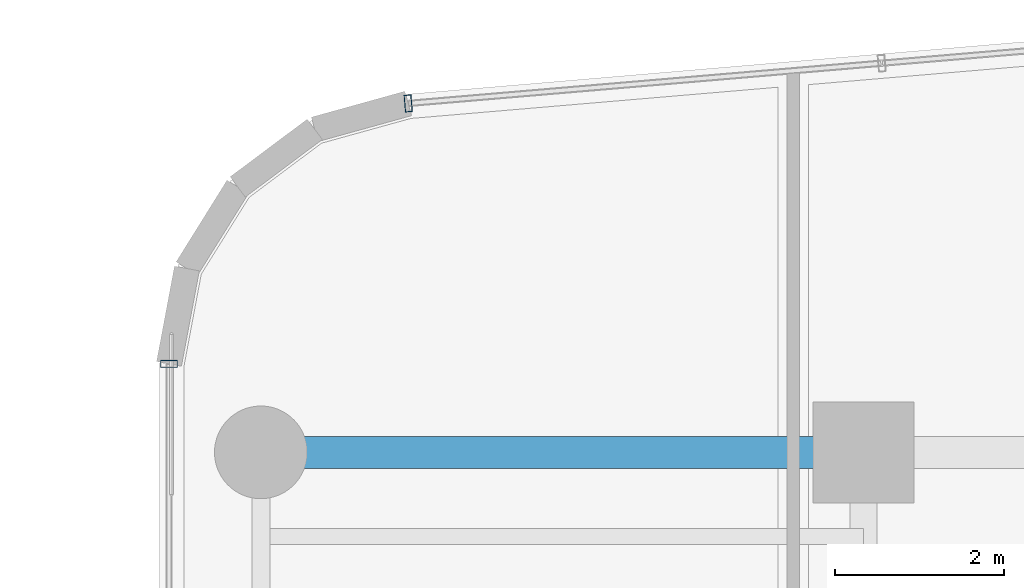
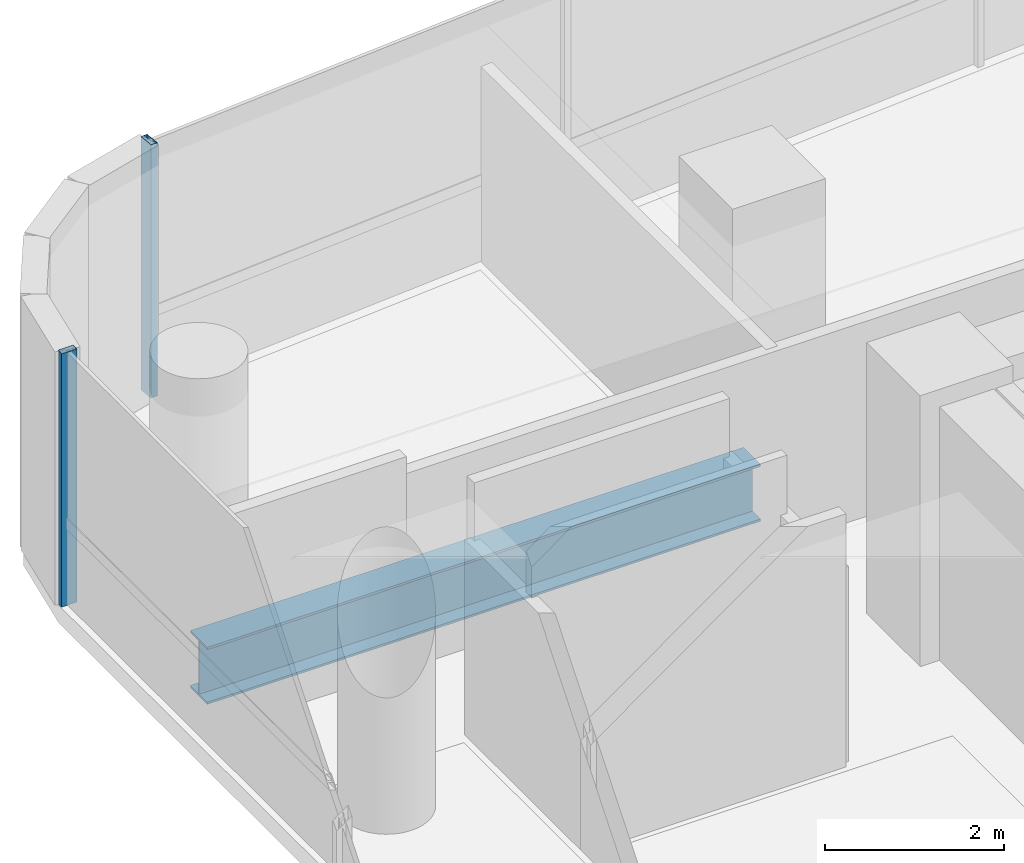
# One storey, part 20 of 37: 2 members, 1 beam, 2 elements without a shape of their own.
"""IFC4 building model written with IfcOpenShell, lengths in metres."""

from ifc_helpers import new_model, si_unit, direction, frame, origin, origin_2d, place, context, subcontext, project, spatial, hollow_rectangle, i_section, extrude, source, transform, mapped, material, material_profile, profile_set, type_object, element, aggregate, save


model = new_model("IFC4")

# Units and contexts
model_context = context("Model", 3, precision=1e-05, world=origin(), true_north=direction((0.0, 1.0)))
body_context = subcontext(model_context, "Body", "Model", "MODEL_VIEW")
ifc_project = project(units=[si_unit("LENGTHUNIT", "METRE"), si_unit("AREAUNIT", "SQUARE_METRE"), si_unit("VOLUMEUNIT", "CUBIC_METRE"), si_unit("PLANEANGLEUNIT", "RADIAN"), si_unit("MASSUNIT", "GRAM", prefix="KILO")], contexts=[model_context])

# Site, building, storey
site_placement = place(None, origin())
site = spatial("IfcSite", under=ifc_project, at=site_placement, CompositionType="ELEMENT")
building_placement = place(site_placement, origin())
building = spatial("IfcBuilding", under=site, at=building_placement, Name="Valdorenza Pilgrim Sanctuary Tower", CompositionType="ELEMENT")
storey_placement = place(building_placement, frame((0.0, 0.0, 135.300048828125)))
storey = spatial("IfcBuildingStorey", under=building, at=storey_placement, Name="L34", CompositionType="ELEMENT", Elevation=135.300048828125)

# Beam
ifc_material_1 = material(Name="Steel ASTM A992 Grade 50", Category="steel")
ifc_material_profile_1 = material_profile(ifc_material_1, i_section(OverallWidth=0.382080078125, OverallDepth=0.779052734375, WebThickness=0.01806640625, FlangeThickness=0.030029296875, at=origin_2d()), Name="W30X191")
ifc_profile_set_1 = profile_set([ifc_material_profile_1], Name="Steel ASTM A992 Grade 50")
beam_type = type_object("IfcBeamType", Name="STR-BM-GRD-W30", PredefinedType="BEAM", material=ifc_profile_set_1)
shared_shape_1 = source(origin(), body_context, "Body", "SweptSolid", [
    extrude(i_section(OverallWidth=0.382080078125, OverallDepth=0.779052734375, WebThickness=0.01806640625, FlangeThickness=0.030029296875, at=origin_2d()), origin(), (0.0, 0.0, 1.0), 7.150146484375),
])
beam_placement = place(storey_placement, frame((-29.800048828125, 14.800048828125, -0.629638671875), z_axis=(1.0, 0.0, 0.0), x_axis=(0.0, 1.0, 0.0)))
element("IfcBeam", 1, at=beam_placement, inside=storey, type_object=beam_type, Name="L34 Floor Girder WA-XW-N2", PredefinedType="BEAM", context=body_context, shape_type="MappedRepresentation", body=[
    mapped(shared_shape_1, transform((0.0, 0.0, 0.0), x_axis=(1.0, 0.0, 0.0), y_axis=(0.0, 1.0, 0.0), z_axis=(0.0, 0.0, 1.0), scale=1.0)),
])

# Curtain wall, member
ifc_material_2 = material(Name="Curtain-wall IGU glazing", Category="glass")
curtain_wall_type = type_object("IfcCurtainWallType", Name="CW-SYS-02", PredefinedType="NOTDEFINED", material=ifc_material_2)
curtain_wall_1_placement = place(storey_placement, origin())
curtain_wall_1 = element("IfcCurtainWall", 2, at=curtain_wall_1_placement, inside=storey, type_object=curtain_wall_type, Name="L34 Curtain Wall CW-L34-1-1S2", PredefinedType="NOTDEFINED")
ifc_material_3 = material(Name="Anodised aluminium AW-6060", Category="aluminium")
ifc_material_profile_2 = material_profile(ifc_material_3, hollow_rectangle(XDim=0.0849609375, YDim=0.199951171875, WallThickness=0.0048828125, at=origin_2d()), Name="ALU-M 200x85x5")
ifc_profile_set_2 = profile_set([ifc_material_profile_2], Name="Anodised aluminium AW-6060")
member_type = type_object("IfcMemberType", Name="CW-MUL-02", PredefinedType="MULLION", material=ifc_profile_set_2)
shared_shape_2 = source(origin(), body_context, "Body", "SweptSolid", [
    extrude(hollow_rectangle(XDim=0.0849609375, YDim=0.199951171875, WallThickness=0.0048828125, at=origin_2d()), origin(), (0.0, 0.0, 1.0), 3.4599609375),
])
member_1_placement = place(storey_placement, frame((-30.889892578125, 15.850341796875, 0.0), z_axis=(0.0, 0.0, 1.0), x_axis=(0.0, 1.0, 0.0)))
member_1 = element("IfcMember", 3, at=member_1_placement, type_object=member_type, Name="CW-L34-1-1S2 Mullion 4", PredefinedType="MULLION", context=body_context, shape_type="MappedRepresentation", body=[
    mapped(shared_shape_2, transform((0.0, 0.0, 0.0), x_axis=(1.0, 0.0, 0.0), y_axis=(0.0, 1.0, 0.0), z_axis=(0.0, 0.0, 1.0), scale=1.0)),
])
aggregate(curtain_wall_1, [member_1])

curtain_wall_2_placement = place(storey_placement, origin())
curtain_wall_2 = element("IfcCurtainWall", 4, at=curtain_wall_2_placement, inside=storey, type_object=curtain_wall_type, Name="L34 Curtain Wall CW-L34-1-6", PredefinedType="NOTDEFINED")
member_2_placement = place(storey_placement, frame((-28.051513671875, 18.940185546875, 0.0), z_axis=(0.0, 0.0, 1.0), x_axis=(0.99640764237, 0.084686541006, 0.0)))
member_2 = element("IfcMember", 5, at=member_2_placement, type_object=member_type, Name="CW-L34-1-6 Mullion 1", PredefinedType="MULLION", context=body_context, shape_type="MappedRepresentation", body=[
    mapped(shared_shape_2, transform((0.0, 0.0, 0.0), x_axis=(1.0, 0.0, 0.0), y_axis=(0.0, 1.0, 0.0), z_axis=(0.0, 0.0, 1.0), scale=1.0)),
])
aggregate(curtain_wall_2, [member_2])

save(model, "model.ifc")
